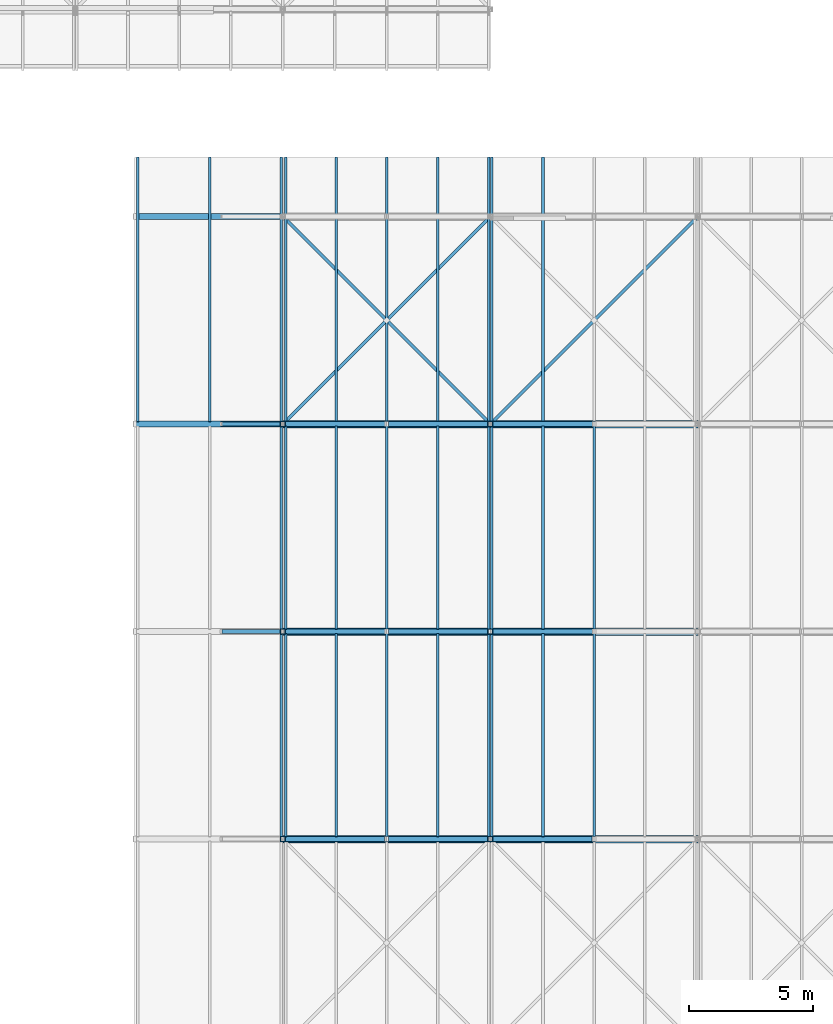
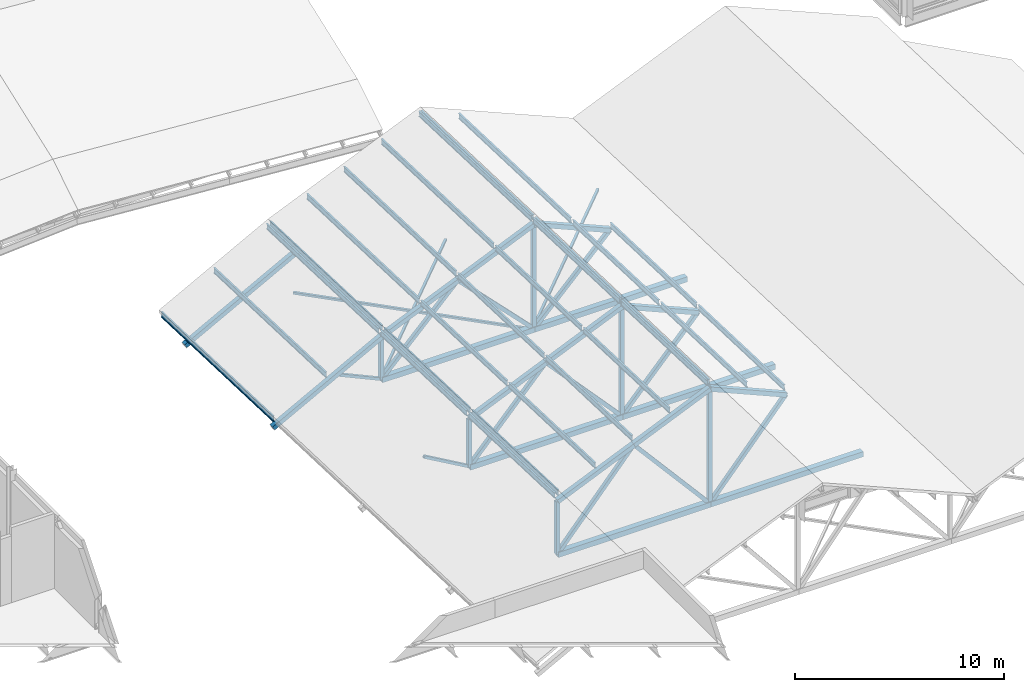
# One storey, part 11 of 76: 45 beams, 20 members.
"""IFC4 building model written with IfcOpenShell, lengths in metres."""

from ifc_helpers import new_model, si_unit, direction, frame, origin, origin_2d, place, context, subcontext, project, spatial, hollow_rectangle, i_section, extrude, material, material_profile, profile_set, type_object, element, save


model = new_model("IFC4")

# Units and contexts
model_context = context("Model", 3, precision=1e-05, world=origin(), true_north=direction((0.0, 1.0)))
body_context = subcontext(model_context, "Body", "Model", "MODEL_VIEW")
ifc_project = project(units=[si_unit("LENGTHUNIT", "METRE"), si_unit("AREAUNIT", "SQUARE_METRE"), si_unit("VOLUMEUNIT", "CUBIC_METRE"), si_unit("PLANEANGLEUNIT", "RADIAN"), si_unit("MASSUNIT", "GRAM", prefix="KILO")], contexts=[model_context])

# Site, building, storey
site_placement = place(None, origin())
site = spatial("IfcSite", under=ifc_project, at=site_placement, CompositionType="ELEMENT")
building_placement = place(site_placement, origin())
building = spatial("IfcBuilding", under=site, at=building_placement, Name="Hlaing Beacon Police Headquarters", CompositionType="ELEMENT")
storey_placement = place(building_placement, frame((0.0, 0.0, 18.89990234375)))
storey = spatial("IfcBuildingStorey", under=building, at=storey_placement, Name="L04", CompositionType="ELEMENT", Elevation=18.89990234375)

# Members
ifc_material_1 = material(Name="Steel ASTM A500 Grade C", Category="steel")
ifc_material_profile_1 = material_profile(ifc_material_1, hollow_rectangle(XDim=0.15234375, YDim=0.15234375, WallThickness=0.0126953125, at=origin_2d()), Name="HSS6x6x1/2")
ifc_profile_set_1 = profile_set([ifc_material_profile_1], Name="Steel ASTM A500 Grade C")
member_type_1 = type_object("IfcMemberType", Name="Eave strut HSS6x6x1/2", PredefinedType="BRACE", material=ifc_profile_set_1)
member_1_placement = place(storey_placement, frame((58.800048828125, 50.39990234375, -4.347412109375), z_axis=(-0.866540389944, 0.0, 0.499106955067), x_axis=(0.0, -1.0, 0.0)))
element("IfcMember", 1, at=member_1_placement, inside=storey, type_object=member_type_1, Name="STR-RT-V1-T3-ST01", PredefinedType="BRACE", context=body_context, shape_type="SweptSolid", body=[
    extrude(hollow_rectangle(XDim=0.15234375, YDim=0.15234375, WallThickness=0.0126953125, at=origin_2d()), origin(), (0.0, 0.0, 1.0), 2.885009765625),
])
member_2_placement = place(storey_placement, frame((58.800048828125, 58.800048828125, -4.347412109375), z_axis=(-0.909882017807, 0.0, 0.414867103627), x_axis=(0.0, -1.0, 0.0)))
element("IfcMember", 2, at=member_2_placement, inside=storey, type_object=member_type_1, Name="STR-RT-V1-T4-ST01", PredefinedType="BRACE", context=body_context, shape_type="SweptSolid", body=[
    extrude(hollow_rectangle(XDim=0.15234375, YDim=0.15234375, WallThickness=0.0126953125, at=origin_2d()), origin(), (0.0, 0.0, 1.0), 2.74755859375),
])
ifc_material_2 = material(Name="Steel ASTM A500 Grade C", Category="steel")
ifc_material_profile_2 = material_profile(ifc_material_2, hollow_rectangle(XDim=0.126953125, YDim=0.126953125, WallThickness=0.009521484375, at=origin_2d()), Name="HSS5x5x3/8")
ifc_profile_set_2 = profile_set([ifc_material_profile_2], Name="Steel ASTM A500 Grade C")
member_type_2 = type_object("IfcMemberType", Name="Roof plan brace HSS5x5x3/8", PredefinedType="BRACE", material=ifc_profile_set_2)
for number, where, z_axis, x_axis, name in (
    (3, (58.800048828125, 58.800048828125, -4.27392578125), (0.707106781187, 0.707106781187, 0.0), (-0.707106781187, 0.707106781187, 0.0), "STR-RT-V1-WB09"),
    (4, (58.800048828125, 67.199951171875, -4.4208984375), (0.707106781187, -0.707106781187, 0.0), (0.707106781187, 0.707106781187, 0.0), "STR-RT-V1-WB10"),
):
    element("IfcMember", number, at=place(storey_placement, frame(where, z_axis=z_axis, x_axis=x_axis)), inside=storey, type_object=member_type_2, Name=name, PredefinedType="BRACE", context=body_context, shape_type="SweptSolid", body=[
        extrude(hollow_rectangle(XDim=0.126953125, YDim=0.126953125, WallThickness=0.009521484375, at=origin_2d()), origin(), (0.0, 0.0, 1.0), 11.879150390625),
    ])
member_3_placement = place(storey_placement, frame((67.199951171875, 58.800048828125, -4.27392578125), z_axis=(0.707117056885, 0.707096505339, 0.0), x_axis=(-0.707096505339, 0.707117056885, 0.0)))
element("IfcMember", 5, at=member_3_placement, inside=storey, type_object=member_type_2, Name="STR-RT-V1-WB11", PredefinedType="BRACE", context=body_context, shape_type="SweptSolid", body=[
    extrude(hollow_rectangle(XDim=0.126953125, YDim=0.126953125, WallThickness=0.009521484375, at=origin_2d()), origin(), (0.0, 0.0, 1.0), 11.87939453125),
])

# Beams
ifc_material_3 = material(Name="Steel ASTM A992 Grade 50", Category="steel")
ifc_material_profile_3 = material_profile(ifc_material_3, i_section(OverallWidth=0.102294921875, OverallDepth=0.3125, WebThickness=0.006591796875, FlangeThickness=0.0107421875, FilletRadius=0.007568359375, at=origin_2d()), Name="W12x22")
ifc_profile_set_3 = profile_set([ifc_material_profile_3], Name="Steel ASTM A992 Grade 50")
beam_type_1 = type_object("IfcBeamType", Name="Roof purlin W12x22", PredefinedType="BEAM", material=ifc_profile_set_3)
for number, where, z_axis, x_axis, name in (
    (6, (52.931640625, 58.890625, -4.68701171875), (0.0, 0.999362564096, -0.035699656635), (-1.0, 0.0, 0.0), "STR-RT-V1-PR-R1-01-4"),
    (7, (55.835205078125, 58.890625, -3.138427734375), (0.0, 0.999362564096, -0.035699656635), (-1.0, 0.0, 0.0), "STR-RT-V1-PR-R1-02-4"),
):
    element("IfcBeam", number, at=place(storey_placement, frame(where, z_axis=z_axis, x_axis=x_axis)), inside=storey, type_object=beam_type_1, Name=name, PredefinedType="BEAM", context=body_context, shape_type="SweptSolid", body=[
        extrude(i_section(OverallWidth=0.102294921875, OverallDepth=0.3125, WebThickness=0.006591796875, FlangeThickness=0.0107421875, FilletRadius=0.007568359375, at=origin_2d()), origin(), (0.0, 0.0, 1.0), 10.71630859375),
    ])
beam_1_placement = place(storey_placement, frame((58.73876953125, 42.090576171875, -0.98974609375), z_axis=(0.0, 0.999362097782, -0.035712708045), x_axis=(-1.0, 0.0, 0.0)))
element("IfcBeam", 8, at=beam_1_placement, inside=storey, type_object=beam_type_1, Name="STR-RT-V1-PR-R1-03-2", PredefinedType="BEAM", context=body_context, shape_type="SweptSolid", body=[
    extrude(i_section(OverallWidth=0.102294921875, OverallDepth=0.3125, WebThickness=0.006591796875, FlangeThickness=0.0107421875, FilletRadius=0.007568359375, at=origin_2d()), origin(), (0.0, 0.0, 1.0), 8.223876953125),
])
beam_2_placement = place(storey_placement, frame((58.73876953125, 50.490478515625, -1.289794921875), z_axis=(0.0, 0.999362135643, -0.035711648572), x_axis=(-1.0, 0.0, 0.0)))
element("IfcBeam", 9, at=beam_2_placement, inside=storey, type_object=beam_type_1, Name="STR-RT-V1-PR-R1-03-3", PredefinedType="BEAM", context=body_context, shape_type="SweptSolid", body=[
    extrude(i_section(OverallWidth=0.102294921875, OverallDepth=0.3125, WebThickness=0.006591796875, FlangeThickness=0.0107421875, FilletRadius=0.007568359375, at=origin_2d()), origin(), (0.0, 0.0, 1.0), 8.22412109375),
])
beam_3_placement = place(storey_placement, frame((58.73876953125, 58.890625, -1.590087890625), z_axis=(0.0, 0.999363376635, -0.035676903474), x_axis=(-1.0, 0.0, 0.0)))
element("IfcBeam", 10, at=beam_3_placement, inside=storey, type_object=beam_type_1, Name="STR-RT-V1-PR-R1-03-4", PredefinedType="BEAM", context=body_context, shape_type="SweptSolid", body=[
    extrude(i_section(OverallWidth=0.102294921875, OverallDepth=0.3125, WebThickness=0.006591796875, FlangeThickness=0.0107421875, FilletRadius=0.007568359375, at=origin_2d()), origin(), (0.0, 0.0, 1.0), 10.71630859375),
])
beam_4_placement = place(storey_placement, frame((58.920166015625, 42.090576171875, -0.893310546875), z_axis=(0.0, 0.999362097782, -0.035712708045), x_axis=(-1.0, 0.0, 0.0)))
element("IfcBeam", 11, at=beam_4_placement, inside=storey, type_object=beam_type_1, Name="STR-RT-V1-PR-R2-01-2", PredefinedType="BEAM", context=body_context, shape_type="SweptSolid", body=[
    extrude(i_section(OverallWidth=0.102294921875, OverallDepth=0.3125, WebThickness=0.006591796875, FlangeThickness=0.0107421875, FilletRadius=0.007568359375, at=origin_2d()), origin(), (0.0, 0.0, 1.0), 8.223876953125),
])
beam_5_placement = place(storey_placement, frame((58.920166015625, 50.490478515625, -1.193359375), z_axis=(0.0, 0.999362135643, -0.035711648572), x_axis=(-1.0, 0.0, 0.0)))
element("IfcBeam", 12, at=beam_5_placement, inside=storey, type_object=beam_type_1, Name="STR-RT-V1-PR-R2-01-3", PredefinedType="BEAM", context=body_context, shape_type="SweptSolid", body=[
    extrude(i_section(OverallWidth=0.102294921875, OverallDepth=0.3125, WebThickness=0.006591796875, FlangeThickness=0.0107421875, FilletRadius=0.007568359375, at=origin_2d()), origin(), (0.0, 0.0, 1.0), 8.22412109375),
])
beam_6_placement = place(storey_placement, frame((58.920166015625, 58.890625, -1.49365234375), z_axis=(0.0, 0.999362564096, -0.035699656635), x_axis=(-1.0, 0.0, 0.0)))
element("IfcBeam", 13, at=beam_6_placement, inside=storey, type_object=beam_type_1, Name="STR-RT-V1-PR-R2-01-4", PredefinedType="BEAM", context=body_context, shape_type="SweptSolid", body=[
    extrude(i_section(OverallWidth=0.102294921875, OverallDepth=0.3125, WebThickness=0.006591796875, FlangeThickness=0.0107421875, FilletRadius=0.007568359375, at=origin_2d()), origin(), (0.0, 0.0, 1.0), 10.71630859375),
])
beam_7_placement = place(storey_placement, frame((60.960205078125, 42.090576171875, -0.01904296875), z_axis=(0.0, 0.999362097782, -0.035712708045), x_axis=(-1.0, 0.0, 0.0)))
element("IfcBeam", 14, at=beam_7_placement, inside=storey, type_object=beam_type_1, Name="STR-RT-V1-PR-R2-02-2", PredefinedType="BEAM", context=body_context, shape_type="SweptSolid", body=[
    extrude(i_section(OverallWidth=0.102294921875, OverallDepth=0.3125, WebThickness=0.006591796875, FlangeThickness=0.0107421875, FilletRadius=0.007568359375, at=origin_2d()), origin(), (0.0, 0.0, 1.0), 8.223876953125),
])
beam_8_placement = place(storey_placement, frame((60.960205078125, 50.490478515625, -0.319091796875), z_axis=(0.0, 0.999362135643, -0.035711648572), x_axis=(-1.0, 0.0, 0.0)))
element("IfcBeam", 15, at=beam_8_placement, inside=storey, type_object=beam_type_1, Name="STR-RT-V1-PR-R2-02-3", PredefinedType="BEAM", context=body_context, shape_type="SweptSolid", body=[
    extrude(i_section(OverallWidth=0.102294921875, OverallDepth=0.3125, WebThickness=0.006591796875, FlangeThickness=0.0107421875, FilletRadius=0.007568359375, at=origin_2d()), origin(), (0.0, 0.0, 1.0), 8.22412109375),
])
beam_9_placement = place(storey_placement, frame((60.960205078125, 58.890625, -0.619384765625), z_axis=(0.0, 0.999362564096, -0.035699656635), x_axis=(-1.0, 0.0, 0.0)))
element("IfcBeam", 16, at=beam_9_placement, inside=storey, type_object=beam_type_1, Name="STR-RT-V1-PR-R2-02-4", PredefinedType="BEAM", context=body_context, shape_type="SweptSolid", body=[
    extrude(i_section(OverallWidth=0.102294921875, OverallDepth=0.3125, WebThickness=0.006591796875, FlangeThickness=0.0107421875, FilletRadius=0.007568359375, at=origin_2d()), origin(), (0.0, 0.0, 1.0), 10.71630859375),
])
beam_10_placement = place(storey_placement, frame((63.0, 42.090576171875, 0.855224609375), z_axis=(0.0, 0.999362097782, -0.035712708045), x_axis=(-1.0, 0.0, 0.0)))
element("IfcBeam", 17, at=beam_10_placement, inside=storey, type_object=beam_type_1, Name="STR-RT-V1-PR-R2-03-2", PredefinedType="BEAM", context=body_context, shape_type="SweptSolid", body=[
    extrude(i_section(OverallWidth=0.102294921875, OverallDepth=0.3125, WebThickness=0.006591796875, FlangeThickness=0.0107421875, FilletRadius=0.007568359375, at=origin_2d()), origin(), (0.0, 0.0, 1.0), 8.223876953125),
])
beam_11_placement = place(storey_placement, frame((63.0, 50.490478515625, 0.554931640625), z_axis=(0.0, 0.999363194646, -0.03568200089), x_axis=(-1.0, 0.0, 0.0)))
element("IfcBeam", 18, at=beam_11_placement, inside=storey, type_object=beam_type_1, Name="STR-RT-V1-PR-R2-03-3", PredefinedType="BEAM", context=body_context, shape_type="SweptSolid", body=[
    extrude(i_section(OverallWidth=0.102294921875, OverallDepth=0.3125, WebThickness=0.006591796875, FlangeThickness=0.0107421875, FilletRadius=0.007568359375, at=origin_2d()), origin(), (0.0, 0.0, 1.0), 8.22412109375),
])
beam_12_placement = place(storey_placement, frame((63.0, 58.890625, 0.2548828125), z_axis=(0.0, 0.999362564096, -0.035699656635), x_axis=(-1.0, 0.0, 0.0)))
element("IfcBeam", 19, at=beam_12_placement, inside=storey, type_object=beam_type_1, Name="STR-RT-V1-PR-R2-03-4", PredefinedType="BEAM", context=body_context, shape_type="SweptSolid", body=[
    extrude(i_section(OverallWidth=0.102294921875, OverallDepth=0.3125, WebThickness=0.006591796875, FlangeThickness=0.0107421875, FilletRadius=0.007568359375, at=origin_2d()), origin(), (0.0, 0.0, 1.0), 10.71630859375),
])
beam_13_placement = place(storey_placement, frame((65.0693359375, 42.090576171875, 1.7421875), z_axis=(0.0, 0.999362097782, -0.035712708045), x_axis=(-1.0, 0.0, 0.0)))
element("IfcBeam", 20, at=beam_13_placement, inside=storey, type_object=beam_type_1, Name="STR-RT-V1-PR-R2-04-2", PredefinedType="BEAM", context=body_context, shape_type="SweptSolid", body=[
    extrude(i_section(OverallWidth=0.102294921875, OverallDepth=0.3125, WebThickness=0.006591796875, FlangeThickness=0.0107421875, FilletRadius=0.007568359375, at=origin_2d()), origin(), (0.0, 0.0, 1.0), 8.223876953125),
])
beam_14_placement = place(storey_placement, frame((65.0693359375, 50.490478515625, 1.44189453125), z_axis=(0.0, 0.999362135643, -0.035711648572), x_axis=(-1.0, 0.0, 0.0)))
element("IfcBeam", 21, at=beam_14_placement, inside=storey, type_object=beam_type_1, Name="STR-RT-V1-PR-R2-04-3", PredefinedType="BEAM", context=body_context, shape_type="SweptSolid", body=[
    extrude(i_section(OverallWidth=0.102294921875, OverallDepth=0.3125, WebThickness=0.006591796875, FlangeThickness=0.0107421875, FilletRadius=0.007568359375, at=origin_2d()), origin(), (0.0, 0.0, 1.0), 8.22412109375),
])
beam_15_placement = place(storey_placement, frame((65.0693359375, 58.890625, 1.141845703125), z_axis=(0.0, 0.999362564096, -0.035699656635), x_axis=(-1.0, 0.0, 0.0)))
element("IfcBeam", 22, at=beam_15_placement, inside=storey, type_object=beam_type_1, Name="STR-RT-V1-PR-R2-04-4", PredefinedType="BEAM", context=body_context, shape_type="SweptSolid", body=[
    extrude(i_section(OverallWidth=0.102294921875, OverallDepth=0.3125, WebThickness=0.006591796875, FlangeThickness=0.0107421875, FilletRadius=0.007568359375, at=origin_2d()), origin(), (0.0, 0.0, 1.0), 10.71630859375),
])
beam_16_placement = place(storey_placement, frame((67.138916015625, 42.090576171875, 2.62890625), z_axis=(0.0, 0.999362097782, -0.035712708045), x_axis=(-1.0, 0.0, 0.0)))
element("IfcBeam", 23, at=beam_16_placement, inside=storey, type_object=beam_type_1, Name="STR-RT-V1-PR-R2-05-2", PredefinedType="BEAM", context=body_context, shape_type="SweptSolid", body=[
    extrude(i_section(OverallWidth=0.102294921875, OverallDepth=0.3125, WebThickness=0.006591796875, FlangeThickness=0.0107421875, FilletRadius=0.007568359375, at=origin_2d()), origin(), (0.0, 0.0, 1.0), 8.223876953125),
])
beam_17_placement = place(storey_placement, frame((67.138916015625, 50.490478515625, 2.328857421875), z_axis=(0.0, 0.999362135643, -0.035711648572), x_axis=(-1.0, 0.0, 0.0)))
element("IfcBeam", 24, at=beam_17_placement, inside=storey, type_object=beam_type_1, Name="STR-RT-V1-PR-R2-05-3", PredefinedType="BEAM", context=body_context, shape_type="SweptSolid", body=[
    extrude(i_section(OverallWidth=0.102294921875, OverallDepth=0.3125, WebThickness=0.006591796875, FlangeThickness=0.0107421875, FilletRadius=0.007568359375, at=origin_2d()), origin(), (0.0, 0.0, 1.0), 8.22412109375),
])
beam_18_placement = place(storey_placement, frame((67.138916015625, 58.890625, 2.02880859375), z_axis=(0.0, 0.99936175104, -0.035722409739), x_axis=(-1.0, 0.0, 0.0)))
element("IfcBeam", 25, at=beam_18_placement, inside=storey, type_object=beam_type_1, Name="STR-RT-V1-PR-R2-05-4", PredefinedType="BEAM", context=body_context, shape_type="SweptSolid", body=[
    extrude(i_section(OverallWidth=0.102294921875, OverallDepth=0.3125, WebThickness=0.006591796875, FlangeThickness=0.0107421875, FilletRadius=0.007568359375, at=origin_2d()), origin(), (0.0, 0.0, 1.0), 10.71630859375),
])
beam_19_placement = place(storey_placement, frame((67.26123046875, 42.090576171875, 2.62890625), z_axis=(0.0, 0.999362097782, -0.035712708045), x_axis=(-1.0, 0.0, 0.0)))
element("IfcBeam", 26, at=beam_19_placement, inside=storey, type_object=beam_type_1, Name="STR-RT-V1-PR-R3-01-2", PredefinedType="BEAM", context=body_context, shape_type="SweptSolid", body=[
    extrude(i_section(OverallWidth=0.102294921875, OverallDepth=0.3125, WebThickness=0.006591796875, FlangeThickness=0.0107421875, FilletRadius=0.007568359375, at=origin_2d()), origin(), (0.0, 0.0, 1.0), 8.223876953125),
])
beam_20_placement = place(storey_placement, frame((67.26123046875, 50.490478515625, 2.328857421875), z_axis=(0.0, 0.999362135643, -0.035711648572), x_axis=(-1.0, 0.0, 0.0)))
element("IfcBeam", 27, at=beam_20_placement, inside=storey, type_object=beam_type_1, Name="STR-RT-V1-PR-R3-01-3", PredefinedType="BEAM", context=body_context, shape_type="SweptSolid", body=[
    extrude(i_section(OverallWidth=0.102294921875, OverallDepth=0.3125, WebThickness=0.006591796875, FlangeThickness=0.0107421875, FilletRadius=0.007568359375, at=origin_2d()), origin(), (0.0, 0.0, 1.0), 8.22412109375),
])
beam_21_placement = place(storey_placement, frame((67.26123046875, 58.890625, 2.02880859375), z_axis=(0.0, 0.99936175104, -0.035722409739), x_axis=(-1.0, 0.0, 0.0)))
element("IfcBeam", 28, at=beam_21_placement, inside=storey, type_object=beam_type_1, Name="STR-RT-V1-PR-R3-01-4", PredefinedType="BEAM", context=body_context, shape_type="SweptSolid", body=[
    extrude(i_section(OverallWidth=0.102294921875, OverallDepth=0.3125, WebThickness=0.006591796875, FlangeThickness=0.0107421875, FilletRadius=0.007568359375, at=origin_2d()), origin(), (0.0, 0.0, 1.0), 10.71630859375),
])
beam_22_placement = place(storey_placement, frame((69.33056640625, 42.090576171875, 1.7421875), z_axis=(0.0, 0.999362097782, -0.035712708045), x_axis=(-1.0, 0.0, 0.0)))
element("IfcBeam", 29, at=beam_22_placement, inside=storey, type_object=beam_type_1, Name="STR-RT-V1-PR-R3-02-2", PredefinedType="BEAM", context=body_context, shape_type="SweptSolid", body=[
    extrude(i_section(OverallWidth=0.102294921875, OverallDepth=0.3125, WebThickness=0.006591796875, FlangeThickness=0.0107421875, FilletRadius=0.007568359375, at=origin_2d()), origin(), (0.0, 0.0, 1.0), 8.223876953125),
])
beam_23_placement = place(storey_placement, frame((69.33056640625, 50.490478515625, 1.44189453125), z_axis=(0.0, 0.999362135643, -0.035711648572), x_axis=(-1.0, 0.0, 0.0)))
element("IfcBeam", 30, at=beam_23_placement, inside=storey, type_object=beam_type_1, Name="STR-RT-V1-PR-R3-02-3", PredefinedType="BEAM", context=body_context, shape_type="SweptSolid", body=[
    extrude(i_section(OverallWidth=0.102294921875, OverallDepth=0.3125, WebThickness=0.006591796875, FlangeThickness=0.0107421875, FilletRadius=0.007568359375, at=origin_2d()), origin(), (0.0, 0.0, 1.0), 8.22412109375),
])
beam_24_placement = place(storey_placement, frame((69.33056640625, 58.890625, 1.141845703125), z_axis=(0.0, 0.999362564096, -0.035699656635), x_axis=(-1.0, 0.0, 0.0)))
element("IfcBeam", 31, at=beam_24_placement, inside=storey, type_object=beam_type_1, Name="STR-RT-V1-PR-R3-02-4", PredefinedType="BEAM", context=body_context, shape_type="SweptSolid", body=[
    extrude(i_section(OverallWidth=0.102294921875, OverallDepth=0.3125, WebThickness=0.006591796875, FlangeThickness=0.0107421875, FilletRadius=0.007568359375, at=origin_2d()), origin(), (0.0, 0.0, 1.0), 10.71630859375),
])
beam_25_placement = place(storey_placement, frame((71.39990234375, 42.090576171875, 0.855224609375), z_axis=(0.0, 0.999362097782, -0.035712708045), x_axis=(-1.0, 0.0, 0.0)))
element("IfcBeam", 32, at=beam_25_placement, inside=storey, type_object=beam_type_1, Name="STR-RT-V1-PR-R3-03-2", PredefinedType="BEAM", context=body_context, shape_type="SweptSolid", body=[
    extrude(i_section(OverallWidth=0.102294921875, OverallDepth=0.3125, WebThickness=0.006591796875, FlangeThickness=0.0107421875, FilletRadius=0.007568359375, at=origin_2d()), origin(), (0.0, 0.0, 1.0), 8.223876953125),
])
beam_26_placement = place(storey_placement, frame((71.39990234375, 50.490478515625, 0.554931640625), z_axis=(0.0, 0.999363194646, -0.03568200089), x_axis=(-1.0, 0.0, 0.0)))
element("IfcBeam", 33, at=beam_26_placement, inside=storey, type_object=beam_type_1, Name="STR-RT-V1-PR-R3-03-3", PredefinedType="BEAM", context=body_context, shape_type="SweptSolid", body=[
    extrude(i_section(OverallWidth=0.102294921875, OverallDepth=0.3125, WebThickness=0.006591796875, FlangeThickness=0.0107421875, FilletRadius=0.007568359375, at=origin_2d()), origin(), (0.0, 0.0, 1.0), 8.22412109375),
])
ifc_material_4 = material(Name="Steel ASTM A500 Grade C", Category="steel")
ifc_material_profile_4 = material_profile(ifc_material_4, hollow_rectangle(XDim=0.3046875, YDim=0.3046875, WallThickness=0.015869140625, at=origin_2d()), Name="HSS12x12x5/8")
ifc_profile_set_4 = profile_set([ifc_material_profile_4], Name="Steel ASTM A500 Grade C")
beam_type_2 = type_object("IfcBeamType", Name="Truss bottom chord HSS12x12x5/8", PredefinedType="BEAM", material=ifc_profile_set_4)
beam_27_placement = place(storey_placement, frame((58.800048828125, 42.0, -4.347412109375), z_axis=(1.0, 0.0, 0.0), x_axis=(0.0, 1.0, 0.0)))
element("IfcBeam", 34, at=beam_27_placement, inside=storey, type_object=beam_type_2, Name="STR-RT-V1-T2-BC01", PredefinedType="BEAM", context=body_context, shape_type="SweptSolid", body=[
    extrude(hollow_rectangle(XDim=0.3046875, YDim=0.3046875, WallThickness=0.015869140625, at=origin_2d()), origin(), (0.0, 0.0, 1.0), 8.39990234375),
])
beam_28_placement = place(storey_placement, frame((67.199951171875, 42.0, -4.347412109375), z_axis=(1.0, 0.0, 0.0), x_axis=(0.0, 1.0, 0.0)))
element("IfcBeam", 35, at=beam_28_placement, inside=storey, type_object=beam_type_2, Name="STR-RT-V1-T2-BC02", PredefinedType="BEAM", context=body_context, shape_type="SweptSolid", body=[
    extrude(hollow_rectangle(XDim=0.3046875, YDim=0.3046875, WallThickness=0.015869140625, at=origin_2d()), origin(), (0.0, 0.0, 1.0), 8.400146484375),
])
beam_29_placement = place(storey_placement, frame((58.800048828125, 50.39990234375, -4.347412109375), z_axis=(1.0, 0.0, 0.0), x_axis=(0.0, 1.0, 0.0)))
element("IfcBeam", 36, at=beam_29_placement, inside=storey, type_object=beam_type_2, Name="STR-RT-V1-T3-BC01", PredefinedType="BEAM", context=body_context, shape_type="SweptSolid", body=[
    extrude(hollow_rectangle(XDim=0.3046875, YDim=0.3046875, WallThickness=0.015869140625, at=origin_2d()), origin(), (0.0, 0.0, 1.0), 8.39990234375),
])
beam_30_placement = place(storey_placement, frame((67.199951171875, 50.39990234375, -4.347412109375), z_axis=(1.0, 0.0, 0.0), x_axis=(0.0, 1.0, 0.0)))
element("IfcBeam", 37, at=beam_30_placement, inside=storey, type_object=beam_type_2, Name="STR-RT-V1-T3-BC02", PredefinedType="BEAM", context=body_context, shape_type="SweptSolid", body=[
    extrude(hollow_rectangle(XDim=0.3046875, YDim=0.3046875, WallThickness=0.015869140625, at=origin_2d()), origin(), (0.0, 0.0, 1.0), 8.400146484375),
])
beam_31_placement = place(storey_placement, frame((58.800048828125, 58.800048828125, -4.347412109375), z_axis=(1.0, 0.0, 0.0), x_axis=(0.0, 1.0, 0.0)))
element("IfcBeam", 38, at=beam_31_placement, inside=storey, type_object=beam_type_2, Name="STR-RT-V1-T4-BC01", PredefinedType="BEAM", context=body_context, shape_type="SweptSolid", body=[
    extrude(hollow_rectangle(XDim=0.3046875, YDim=0.3046875, WallThickness=0.015869140625, at=origin_2d()), origin(), (0.0, 0.0, 1.0), 8.39990234375),
])
beam_32_placement = place(storey_placement, frame((67.199951171875, 58.800048828125, -4.347412109375), z_axis=(1.0, 0.0, 0.0), x_axis=(0.0, 1.0, 0.0)))
element("IfcBeam", 39, at=beam_32_placement, inside=storey, type_object=beam_type_2, Name="STR-RT-V1-T4-BC02", PredefinedType="BEAM", context=body_context, shape_type="SweptSolid", body=[
    extrude(hollow_rectangle(XDim=0.3046875, YDim=0.3046875, WallThickness=0.015869140625, at=origin_2d()), origin(), (0.0, 0.0, 1.0), 8.400146484375),
])

# Members
ifc_material_5 = material(Name="Steel ASTM A500 Grade C", Category="steel")
ifc_material_profile_5 = material_profile(ifc_material_5, hollow_rectangle(XDim=0.203125, YDim=0.203125, WallThickness=0.015869140625, at=origin_2d()), Name="HSS8x8x5/8")
ifc_profile_set_5 = profile_set([ifc_material_profile_5], Name="Steel ASTM A500 Grade C")
member_type_3 = type_object("IfcMemberType", Name="Truss post HSS8x8x5/8", PredefinedType="POST", material=ifc_profile_set_5)
member_4_placement = place(storey_placement, frame((58.800048828125, 42.0, -4.347412109375), z_axis=(0.0, 0.0, 1.0), x_axis=(1.0, 0.0, 0.0)))
element("IfcMember", 40, at=member_4_placement, inside=storey, type_object=member_type_3, Name="STR-RT-V1-T2-PS01", PredefinedType="POST", context=body_context, shape_type="SweptSolid", body=[
    extrude(hollow_rectangle(XDim=0.203125, YDim=0.203125, WallThickness=0.015869140625, at=origin_2d()), origin(), (0.0, 0.0, 1.0), 3.078125),
])
member_5_placement = place(storey_placement, frame((67.199951171875, 42.0, -4.347412109375), z_axis=(0.0, 0.0, 1.0), x_axis=(1.0, 0.0, 0.0)))
element("IfcMember", 41, at=member_5_placement, inside=storey, type_object=member_type_3, Name="STR-RT-V1-T2-PS02", PredefinedType="POST", context=body_context, shape_type="SweptSolid", body=[
    extrude(hollow_rectangle(XDim=0.203125, YDim=0.203125, WallThickness=0.015869140625, at=origin_2d()), origin(), (0.0, 0.0, 1.0), 6.701904296875),
])
member_6_placement = place(storey_placement, frame((58.800048828125, 50.39990234375, -4.347412109375), z_axis=(0.0, 0.0, 1.0), x_axis=(1.0, 0.0, 0.0)))
element("IfcMember", 42, at=member_6_placement, inside=storey, type_object=member_type_3, Name="STR-RT-V1-T3-PS01", PredefinedType="POST", context=body_context, shape_type="SweptSolid", body=[
    extrude(hollow_rectangle(XDim=0.203125, YDim=0.203125, WallThickness=0.015869140625, at=origin_2d()), origin(), (0.0, 0.0, 1.0), 2.778076171875),
])
member_7_placement = place(storey_placement, frame((67.199951171875, 50.39990234375, -4.347412109375), z_axis=(0.0, 0.0, 1.0), x_axis=(1.0, 0.0, 0.0)))
element("IfcMember", 43, at=member_7_placement, inside=storey, type_object=member_type_3, Name="STR-RT-V1-T3-PS02", PredefinedType="POST", context=body_context, shape_type="SweptSolid", body=[
    extrude(hollow_rectangle(XDim=0.203125, YDim=0.203125, WallThickness=0.015869140625, at=origin_2d()), origin(), (0.0, 0.0, 1.0), 6.40185546875),
])
member_8_placement = place(storey_placement, frame((58.800048828125, 58.800048828125, -4.347412109375), z_axis=(0.0, 0.0, 1.0), x_axis=(1.0, 0.0, 0.0)))
element("IfcMember", 44, at=member_8_placement, inside=storey, type_object=member_type_3, Name="STR-RT-V1-T4-PS01", PredefinedType="POST", context=body_context, shape_type="SweptSolid", body=[
    extrude(hollow_rectangle(XDim=0.203125, YDim=0.203125, WallThickness=0.015869140625, at=origin_2d()), origin(), (0.0, 0.0, 1.0), 2.47802734375),
])
member_9_placement = place(storey_placement, frame((67.199951171875, 58.800048828125, -4.347412109375), z_axis=(0.0, 0.0, 1.0), x_axis=(1.0, 0.0, 0.0)))
element("IfcMember", 45, at=member_9_placement, inside=storey, type_object=member_type_3, Name="STR-RT-V1-T4-PS02", PredefinedType="POST", context=body_context, shape_type="SweptSolid", body=[
    extrude(hollow_rectangle(XDim=0.203125, YDim=0.203125, WallThickness=0.015869140625, at=origin_2d()), origin(), (0.0, 0.0, 1.0), 6.101806640625),
])

# Beams
ifc_material_6 = material(Name="Steel ASTM A500 Grade C", Category="steel")
ifc_material_profile_6 = material_profile(ifc_material_6, hollow_rectangle(XDim=0.25390625, YDim=0.25390625, WallThickness=0.015869140625, at=origin_2d()), Name="HSS10x10x5/8")
ifc_profile_set_6 = profile_set([ifc_material_profile_6], Name="Steel ASTM A500 Grade C")
beam_type_3 = type_object("IfcBeamType", Name="Truss top chord HSS10x10x5/8", PredefinedType="BEAM", material=ifc_profile_set_6)
beam_33_placement = place(storey_placement, frame((58.800048828125, 42.0, -1.269287109375), z_axis=(0.918209309702, 0.0, 0.396095523298), x_axis=(0.0, 1.0, 0.0)))
element("IfcBeam", 46, at=beam_33_placement, inside=storey, type_object=beam_type_3, Name="STR-RT-V1-T2-TC02", PredefinedType="BEAM", context=body_context, shape_type="SweptSolid", body=[
    extrude(hollow_rectangle(XDim=0.25390625, YDim=0.25390625, WallThickness=0.015869140625, at=origin_2d()), origin(), (0.0, 0.0, 1.0), 4.573974609375),
])
for number, where, z_axis, x_axis, name in (
    (47, (63.0, 42.0, 0.54248046875), (0.918189896614, 0.0, 0.396140522739), (0.0, 1.0, 0.0), "STR-RT-V1-T2-TC03"),
    (48, (67.199951171875, 42.0, 2.3544921875), (0.918189896614, 0.0, -0.396140522739), (0.0, 1.0, 0.0), "STR-RT-V1-T2-TC04"),
):
    element("IfcBeam", number, at=place(storey_placement, frame(where, z_axis=z_axis, x_axis=x_axis)), inside=storey, type_object=beam_type_3, Name=name, PredefinedType="BEAM", context=body_context, shape_type="SweptSolid", body=[
        extrude(hollow_rectangle(XDim=0.25390625, YDim=0.25390625, WallThickness=0.015869140625, at=origin_2d()), origin(), (0.0, 0.0, 1.0), 4.57421875),
    ])
beam_34_placement = place(storey_placement, frame((58.800048828125, 50.39990234375, -1.5693359375), z_axis=(0.918209309702, 0.0, 0.396095523298), x_axis=(0.0, 1.0, 0.0)))
element("IfcBeam", 49, at=beam_34_placement, inside=storey, type_object=beam_type_3, Name="STR-RT-V1-T3-TC02", PredefinedType="BEAM", context=body_context, shape_type="SweptSolid", body=[
    extrude(hollow_rectangle(XDim=0.25390625, YDim=0.25390625, WallThickness=0.015869140625, at=origin_2d()), origin(), (0.0, 0.0, 1.0), 4.573974609375),
])
for number, where, z_axis, x_axis, name in (
    (50, (63.0, 50.39990234375, 0.242431640625), (0.918189896614, 0.0, 0.396140522739), (0.0, 1.0, 0.0), "STR-RT-V1-T3-TC03"),
    (51, (67.199951171875, 50.39990234375, 2.054443359375), (0.918189896614, 0.0, -0.396140522739), (0.0, 1.0, 0.0), "STR-RT-V1-T3-TC04"),
):
    element("IfcBeam", number, at=place(storey_placement, frame(where, z_axis=z_axis, x_axis=x_axis)), inside=storey, type_object=beam_type_3, Name=name, PredefinedType="BEAM", context=body_context, shape_type="SweptSolid", body=[
        extrude(hollow_rectangle(XDim=0.25390625, YDim=0.25390625, WallThickness=0.015869140625, at=origin_2d()), origin(), (0.0, 0.0, 1.0), 4.57421875),
    ])
beam_35_placement = place(storey_placement, frame((52.800048828125, 58.800048828125, -5.080810546875), z_axis=(0.881654838355, 0.0, 0.471894846343), x_axis=(0.0, 1.0, 0.0)))
element("IfcBeam", 52, at=beam_35_placement, inside=storey, type_object=beam_type_3, Name="STR-RT-V1-T4-TC01", PredefinedType="BEAM", context=body_context, shape_type="SweptSolid", body=[
    extrude(hollow_rectangle(XDim=0.25390625, YDim=0.25390625, WallThickness=0.015869140625, at=origin_2d()), origin(), (0.0, 0.0, 1.0), 6.805419921875),
])
beam_36_placement = place(storey_placement, frame((58.800048828125, 58.800048828125, -1.869384765625), z_axis=(0.918209309702, 0.0, 0.396095523298), x_axis=(0.0, 1.0, 0.0)))
element("IfcBeam", 53, at=beam_36_placement, inside=storey, type_object=beam_type_3, Name="STR-RT-V1-T4-TC02", PredefinedType="BEAM", context=body_context, shape_type="SweptSolid", body=[
    extrude(hollow_rectangle(XDim=0.25390625, YDim=0.25390625, WallThickness=0.015869140625, at=origin_2d()), origin(), (0.0, 0.0, 1.0), 4.573974609375),
])
for number, where, z_axis, x_axis, name in (
    (54, (63.0, 58.800048828125, -0.0576171875), (0.918189896614, 0.0, 0.396140522739), (0.0, 1.0, 0.0), "STR-RT-V1-T4-TC03"),
    (55, (67.199951171875, 58.800048828125, 1.75439453125), (0.918189896614, 0.0, -0.396140522739), (0.0, 1.0, 0.0), "STR-RT-V1-T4-TC04"),
):
    element("IfcBeam", number, at=place(storey_placement, frame(where, z_axis=z_axis, x_axis=x_axis)), inside=storey, type_object=beam_type_3, Name=name, PredefinedType="BEAM", context=body_context, shape_type="SweptSolid", body=[
        extrude(hollow_rectangle(XDim=0.25390625, YDim=0.25390625, WallThickness=0.015869140625, at=origin_2d()), origin(), (0.0, 0.0, 1.0), 4.57421875),
    ])
beam_37_placement = place(storey_placement, frame((52.800048828125, 67.199951171875, -5.380859375), z_axis=(0.881639912586, 0.0, 0.47192273153), x_axis=(0.0, 1.0, 0.0)))
element("IfcBeam", 56, at=beam_37_placement, inside=storey, type_object=beam_type_3, Name="STR-RT-V1-T5-TC01", PredefinedType="BEAM", context=body_context, shape_type="SweptSolid", body=[
    extrude(hollow_rectangle(XDim=0.25390625, YDim=0.25390625, WallThickness=0.015869140625, at=origin_2d()), origin(), (0.0, 0.0, 1.0), 6.805419921875),
])

# Members
ifc_material_7 = material(Name="Steel ASTM A500 Grade C", Category="steel")
ifc_material_profile_7 = material_profile(ifc_material_7, hollow_rectangle(XDim=0.203125, YDim=0.203125, WallThickness=0.0126953125, at=origin_2d()), Name="HSS8x8x1/2")
ifc_profile_set_7 = profile_set([ifc_material_profile_7], Name="Steel ASTM A500 Grade C")
member_type_4 = type_object("IfcMemberType", Name="Truss web HSS8x8x1/2", PredefinedType="BRACE", material=ifc_profile_set_7)
for number, where, z_axis, x_axis, name in (
    (57, (58.800048828125, 42.0, -4.347412109375), (0.651561457918, 0.0, 0.758595851924), (0.0, 1.0, 0.0), "STR-RT-V1-T2-DG01"),
    (58, (63.0, 42.0, 0.54248046875), (0.651561457918, 0.0, -0.758595851924), (0.0, 1.0, 0.0), "STR-RT-V1-T2-DG02"),
    (59, (67.199951171875, 42.0, -4.347412109375), (0.651561457918, 0.0, 0.758595851924), (0.0, 1.0, 0.0), "STR-RT-V1-T2-DG03"),
):
    element("IfcMember", number, at=place(storey_placement, frame(where, z_axis=z_axis, x_axis=x_axis)), inside=storey, type_object=member_type_4, Name=name, PredefinedType="BRACE", context=body_context, shape_type="SweptSolid", body=[
        extrude(hollow_rectangle(XDim=0.203125, YDim=0.203125, WallThickness=0.0126953125, at=origin_2d()), origin(), (0.0, 0.0, 1.0), 6.446044921875),
    ])
for number, where, z_axis, x_axis, name in (
    (60, (58.800048828125, 50.39990234375, -4.347412109375), (0.675077544232, 0.0, 0.737746778559), (0.0, 1.0, 0.0), "STR-RT-V1-T3-DG01"),
    (61, (63.0, 50.39990234375, 0.242431640625), (0.675077544232, 0.0, -0.737746778559), (0.0, 1.0, 0.0), "STR-RT-V1-T3-DG02"),
    (62, (67.199951171875, 50.39990234375, -4.347412109375), (0.675077544232, 0.0, 0.737746778559), (0.0, 1.0, 0.0), "STR-RT-V1-T3-DG03"),
):
    element("IfcMember", number, at=place(storey_placement, frame(where, z_axis=z_axis, x_axis=x_axis)), inside=storey, type_object=member_type_4, Name=name, PredefinedType="BRACE", context=body_context, shape_type="SweptSolid", body=[
        extrude(hollow_rectangle(XDim=0.203125, YDim=0.203125, WallThickness=0.0126953125, at=origin_2d()), origin(), (0.0, 0.0, 1.0), 6.221435546875),
    ])
for number, where, z_axis, x_axis, name in (
    (63, (58.800048828125, 58.800048828125, -4.347412109375), (0.699584566608, 0.0, 0.714549812234), (0.0, 1.0, 0.0), "STR-RT-V1-T4-DG01"),
    (64, (63.0, 58.800048828125, -0.0576171875), (0.699584566608, 0.0, -0.714549812234), (0.0, 1.0, 0.0), "STR-RT-V1-T4-DG02"),
    (65, (67.199951171875, 58.800048828125, -4.347412109375), (0.699584566608, 0.0, 0.714549812234), (0.0, 1.0, 0.0), "STR-RT-V1-T4-DG03"),
):
    element("IfcMember", number, at=place(storey_placement, frame(where, z_axis=z_axis, x_axis=x_axis)), inside=storey, type_object=member_type_4, Name=name, PredefinedType="BRACE", context=body_context, shape_type="SweptSolid", body=[
        extrude(hollow_rectangle(XDim=0.203125, YDim=0.203125, WallThickness=0.0126953125, at=origin_2d()), origin(), (0.0, 0.0, 1.0), 6.00341796875),
    ])

save(model, "model.ifc")
